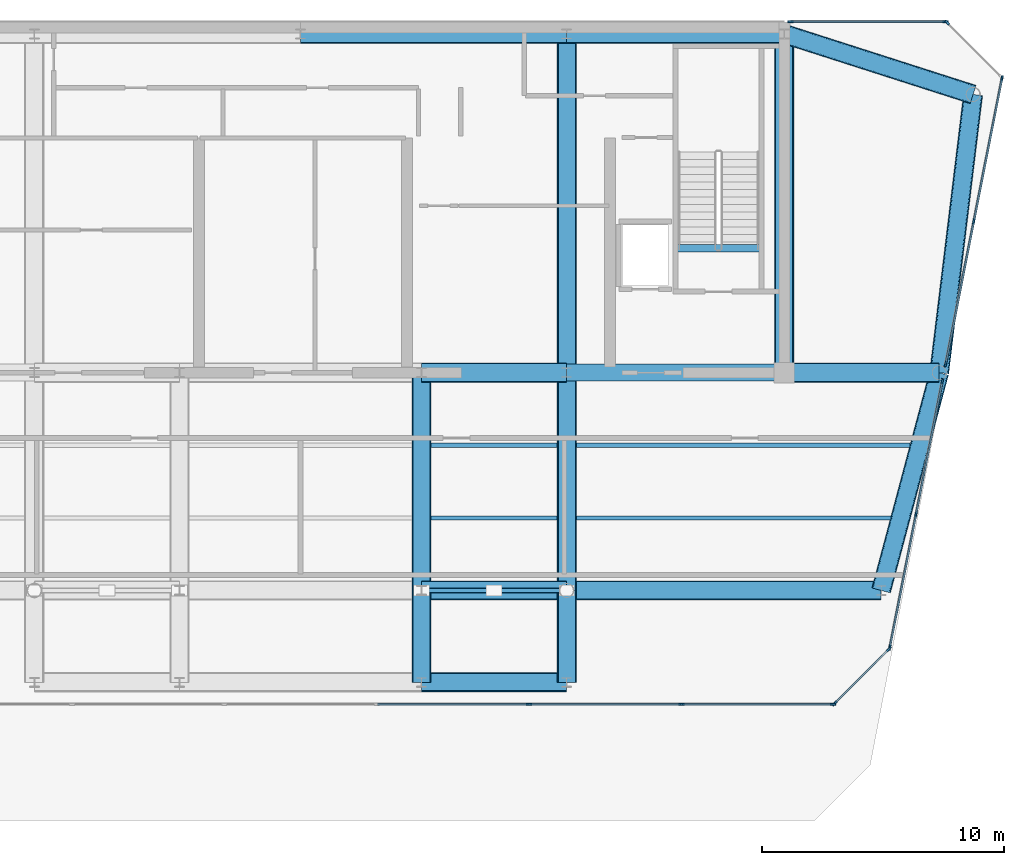
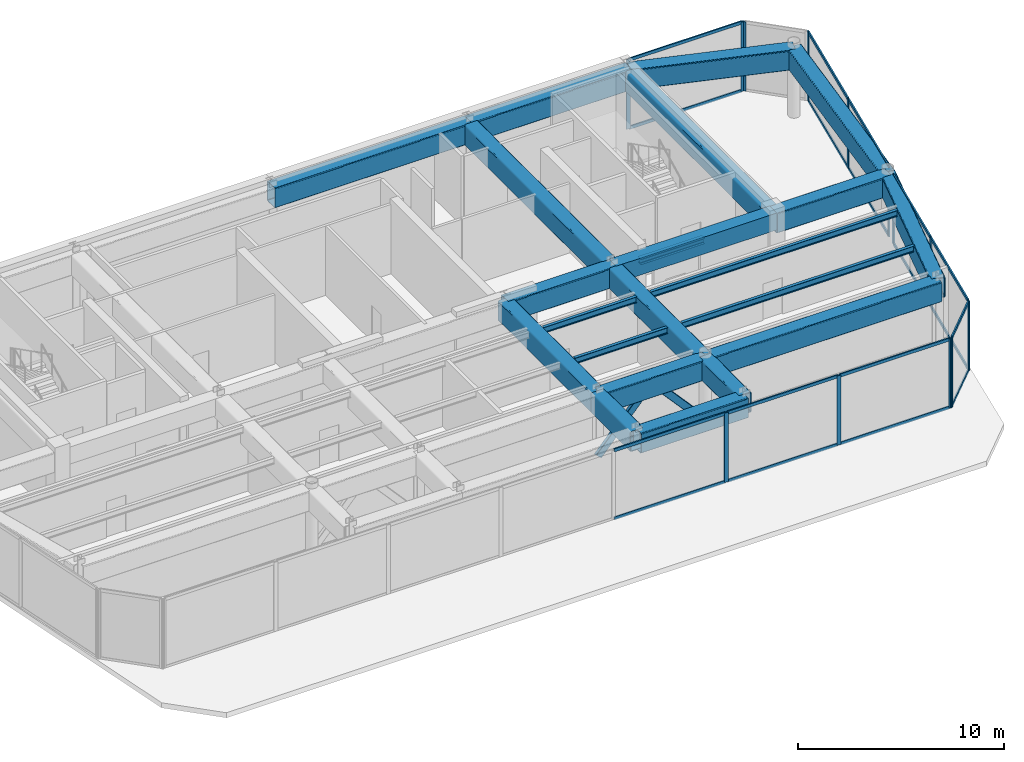
# One storey, part 5 of 12: 34 members, 22 beams, 6 elements without a shape of their own.
"""IFC4 building model written with IfcOpenShell, lengths in metres."""

from ifc_helpers import new_model, si_unit, direction, frame, origin, origin_2d, place, context, subcontext, project, spatial, rectangle, hollow_rectangle, i_section, extrude, source, transform, mapped, material, layer, layer_set, material_profile, profile_set, type_object, element, aggregate, save


model = new_model("IFC4")

# Units and contexts
model_context = context("Model", 3, precision=1e-05, world=origin(), true_north=direction((0.0, 1.0)))
body_context = subcontext(model_context, "Body", "Model", "MODEL_VIEW")
ifc_project = project(units=[si_unit("LENGTHUNIT", "METRE"), si_unit("AREAUNIT", "SQUARE_METRE"), si_unit("VOLUMEUNIT", "CUBIC_METRE"), si_unit("PLANEANGLEUNIT", "RADIAN"), si_unit("MASSUNIT", "GRAM", prefix="KILO")], contexts=[model_context])

# Site, building, storey
site_placement = place(None, origin())
site = spatial("IfcSite", under=ifc_project, at=site_placement, CompositionType="ELEMENT")
building_placement = place(site_placement, origin())
building = spatial("IfcBuilding", under=site, at=building_placement, Name="Vaeldorn Concourse Tower", CompositionType="ELEMENT")
storey_placement = place(building_placement, frame((0.0, 0.0, 308.39990234375)))
storey = spatial("IfcBuildingStorey", under=building, at=storey_placement, Name="L79", CompositionType="ELEMENT", Elevation=308.39990234375)

# Beams
ifc_material_1 = material(Name="Concrete C50/60", Category="concrete")
ifc_material_profile_1 = material_profile(ifc_material_1, rectangle(XDim=0.699951171875, YDim=1.0, at=origin_2d()), Name="RC 700x1000")
ifc_profile_set_1 = profile_set([ifc_material_profile_1], Name="Concrete C50/60")
beam_type_1 = type_object("IfcBeamType", Name="BM-CB-RC700", PredefinedType="BEAM", material=ifc_profile_set_1)
shared_shape_1 = source(origin(), body_context, "Body", "SweptSolid", [
    extrude(rectangle(XDim=0.699951171875, YDim=1.0, at=origin_2d()), origin(), (0.0, 0.0, 1.0), 9.0),
])
beam_1_placement = place(storey_placement, frame((45.0, 36.5, 3.60009765625), z_axis=(1.0, 0.0, 0.0), x_axis=(0.0, 1.0, 0.0)))
element("IfcBeam", 1, at=beam_1_placement, inside=storey, type_object=beam_type_1, Name="Core Coupling Beam L79-2", PredefinedType="BEAM", context=body_context, shape_type="MappedRepresentation", body=[
    mapped(shared_shape_1, transform((0.0, 0.0, 0.0), scale=1.0)),
])
ifc_material_2 = material(Name="Steel S355", Category="steel")
ifc_material_profile_2 = material_profile(ifc_material_2, i_section(OverallWidth=0.300048828125, OverallDepth=0.340087890625, WebThickness=0.011962890625, FlangeThickness=0.021484375, FilletRadius=0.027099609375, at=origin_2d()), Name="HEB 340")
ifc_profile_set_2 = profile_set([ifc_material_profile_2], Name="Steel S355")
beam_type_2 = type_object("IfcBeamType", Name="BM-ST-TRIM", PredefinedType="BEAM", material=ifc_profile_set_2)
shared_shape_2 = source(origin(), body_context, "Body", "SweptSolid", [
    extrude(i_section(OverallWidth=0.300048828125, OverallDepth=0.340087890625, WebThickness=0.011962890625, FlangeThickness=0.021484375, FilletRadius=0.027099609375, at=origin_2d()), origin(), (0.0, 0.0, 1.0), 3.590087890625),
])
beam_2_placement = place(storey_placement, frame((49.47998046875, 41.639892578125, -0.469970703125), z_axis=(1.0, 0.0, 0.0), x_axis=(0.0, 1.0, 0.0)))
element("IfcBeam", 2, at=beam_2_placement, inside=storey, type_object=beam_type_2, Name="Stair Landing Trimmer Beam ST-2 L79", PredefinedType="BEAM", context=body_context, shape_type="MappedRepresentation", body=[
    mapped(shared_shape_2, transform((0.0, 0.0, 0.0), scale=1.0)),
])
ifc_material_3 = material(Name="Steel S460", Category="steel")
ifc_material_profile_3 = material_profile(ifc_material_3, hollow_rectangle(XDim=0.800048828125, YDim=1.199951171875, WallThickness=0.044921875, InnerFilletRadius=0.044921875, OuterFilletRadius=0.090087890625, at=origin_2d()), Name="RHS 1200x800x45")
ifc_profile_set_3 = profile_set([ifc_material_profile_3], Name="Steel S460")
beam_type_3 = type_object("IfcBeamType", Name="BM-TG-RHS1200", PredefinedType="BEAM", material=ifc_profile_set_3)
shared_shape_3 = source(origin(), body_context, "Body", "SweptSolid", [
    extrude(hollow_rectangle(XDim=0.800048828125, YDim=1.199951171875, WallThickness=0.044921875, InnerFilletRadius=0.044921875, OuterFilletRadius=0.090087890625, at=origin_2d()), origin(), (0.0, 0.0, 1.0), 6.0),
])
for number, where, z_axis, x_axis, name in (
    (3, (39.0, 36.5, 3.5), (1.0, 0.0, 0.0), (0.0, 1.0, 0.0), "Beam BM-L79-C-FC4-C-FC5"),
    (4, (39.0, 27.5, 3.5), (1.0, 0.0, 0.0), (0.0, 1.0, 0.0), "Beam BM-L79-C-TW3-C-TW4"),
    (5, (39.0, 23.699951171875, 3.5), (1.0, 0.0, 0.0), (0.0, 1.0, 0.0), "Beam BM-L79-C-SF4-C-SF5"),
):
    element("IfcBeam", number, at=place(storey_placement, frame(where, z_axis=z_axis, x_axis=x_axis)), inside=storey, type_object=beam_type_3, Name=name, PredefinedType="BEAM", context=body_context, shape_type="MappedRepresentation", body=[
        mapped(shared_shape_3, transform((0.0, 0.0, 0.0), scale=1.0)),
    ])
shared_shape_4 = source(origin(), body_context, "Body", "SweptSolid", [
    extrude(hollow_rectangle(XDim=0.800048828125, YDim=1.199951171875, WallThickness=0.044921875, InnerFilletRadius=0.044921875, OuterFilletRadius=0.090087890625, at=origin_2d()), origin(), (0.0, 0.0, 1.0), 9.0),
])
for number, where, z_axis, x_axis, name in (
    (6, (45.0, 50.5, 3.5), (1.0, 0.0, 0.0), (0.0, 1.0, 0.0), "Beam BM-L79-C-HC4-C-HC5"),
    (7, (39.0, 27.5, 3.5), (0.0, 1.0, 0.0), (-1.0, 0.0, 0.0), "Beam BM-L79-C-TW3-C-FC4"),
    (8, (45.0, 27.5, 3.5), (0.0, 1.0, 0.0), (-1.0, 0.0, 0.0), "Beam BM-L79-C-TW4-C-FC5"),
):
    element("IfcBeam", number, at=place(storey_placement, frame(where, z_axis=z_axis, x_axis=x_axis)), inside=storey, type_object=beam_type_3, Name=name, PredefinedType="BEAM", context=body_context, shape_type="MappedRepresentation", body=[
        mapped(shared_shape_4, transform((0.0, 0.0, 0.0), scale=1.0)),
    ])
shared_shape_5 = source(origin(), body_context, "Body", "SweptSolid", [
    extrude(hollow_rectangle(XDim=0.800048828125, YDim=1.199951171875, WallThickness=0.044921875, InnerFilletRadius=0.044921875, OuterFilletRadius=0.090087890625, at=origin_2d()), origin(), (0.0, 0.0, 1.0), 11.0),
])
beam_3_placement = place(storey_placement, frame((34.0, 50.5, 3.5), z_axis=(1.0, 0.0, 0.0), x_axis=(0.0, 1.0, 0.0)))
element("IfcBeam", 9, at=beam_3_placement, inside=storey, type_object=beam_type_3, Name="Beam BM-L79-C-HC3-C-HC4", PredefinedType="BEAM", context=body_context, shape_type="MappedRepresentation", body=[
    mapped(shared_shape_5, transform((0.0, 0.0, 0.0), scale=1.0)),
])
shared_shape_6 = source(origin(), body_context, "Body", "SweptSolid", [
    extrude(hollow_rectangle(XDim=0.800048828125, YDim=1.199951171875, WallThickness=0.044921875, InnerFilletRadius=0.044921875, OuterFilletRadius=0.090087890625, at=origin_2d()), origin(), (0.0, 0.0, 1.0), 14.0),
])
for number, where, z_axis, x_axis, name in (
    (10, (45.0, 36.5, 3.5), (0.0, 1.0, 0.0), (-1.0, 0.0, 0.0), "Beam BM-L79-C-FC5-C-HC4"),
    (11, (54.0, 36.5, 3.5), (0.0, 1.0, 0.0), (-1.0, 0.0, 0.0), "Beam BM-L79-C-FC6-C-HC5"),
):
    element("IfcBeam", number, at=place(storey_placement, frame(where, z_axis=z_axis, x_axis=x_axis)), inside=storey, type_object=beam_type_3, Name=name, PredefinedType="BEAM", context=body_context, shape_type="MappedRepresentation", body=[
        mapped(shared_shape_6, transform((0.0, 0.0, 0.0), scale=1.0)),
    ])
shared_shape_7 = source(origin(), body_context, "Body", "SweptSolid", [
    extrude(hollow_rectangle(XDim=0.800048828125, YDim=1.199951171875, WallThickness=0.044921875, InnerFilletRadius=0.044921875, OuterFilletRadius=0.090087890625, at=origin_2d()), origin(), (0.0, 0.0, 1.0), 13.0),
])
beam_4_placement = place(storey_placement, frame((45.0, 27.5, 3.5), z_axis=(1.0, 0.0, 0.0), x_axis=(0.0, 1.0, 0.0)))
element("IfcBeam", 12, at=beam_4_placement, inside=storey, type_object=beam_type_3, Name="Beam BM-L79-C-TW4-C-FLE1", PredefinedType="BEAM", context=body_context, shape_type="MappedRepresentation", body=[
    mapped(shared_shape_7, transform((0.0, 0.0, 0.0), scale=1.0)),
])
shared_shape_8 = source(origin(), body_context, "Body", "SweptSolid", [
    extrude(hollow_rectangle(XDim=0.800048828125, YDim=1.199951171875, WallThickness=0.044921875, InnerFilletRadius=0.044921875, OuterFilletRadius=0.090087890625, at=origin_2d()), origin(), (0.0, 0.0, 1.0), 6.39990234375),
])
beam_5_placement = place(storey_placement, frame((54.0, 36.5, 3.5), z_axis=(1.0, 0.0, 0.0), x_axis=(0.0, 1.0, 0.0)))
element("IfcBeam", 13, at=beam_5_placement, inside=storey, type_object=beam_type_3, Name="Beam BM-L79-C-FC6-C-NE2", PredefinedType="BEAM", context=body_context, shape_type="MappedRepresentation", body=[
    mapped(shared_shape_8, transform((0.0, 0.0, 0.0), scale=1.0)),
])
shared_shape_9 = source(origin(), body_context, "Body", "SweptSolid", [
    extrude(hollow_rectangle(XDim=0.800048828125, YDim=1.199951171875, WallThickness=0.044921875, InnerFilletRadius=0.044921875, OuterFilletRadius=0.090087890625, at=origin_2d()), origin(), (0.0, 0.0, 1.0), 8.19091796875),
])
beam_6_placement = place(storey_placement, frame((54.0, 50.5, 3.5), z_axis=(0.952282843383, -0.305216949396, 0.0), x_axis=(0.305216949396, 0.952282843383, 0.0)))
element("IfcBeam", 14, at=beam_6_placement, inside=storey, type_object=beam_type_3, Name="Beam BM-L79-C-HC5-C-NE1", PredefinedType="BEAM", context=body_context, shape_type="MappedRepresentation", body=[
    mapped(shared_shape_9, transform((0.0, 0.0, 0.0), scale=1.0)),
])
shared_shape_10 = source(origin(), body_context, "Body", "SweptSolid", [
    extrude(hollow_rectangle(XDim=0.800048828125, YDim=1.199951171875, WallThickness=0.044921875, InnerFilletRadius=0.044921875, OuterFilletRadius=0.090087890625, at=origin_2d()), origin(), (0.0, 0.0, 1.0), 11.5849609375),
])
beam_7_placement = place(storey_placement, frame((61.800048828125, 48.0, 3.5), z_axis=(-0.120859382899, -0.992669637677, 0.0), x_axis=(0.992669637677, -0.120859382899, 0.0)))
element("IfcBeam", 15, at=beam_7_placement, inside=storey, type_object=beam_type_3, Name="Beam BM-L79-C-NE1-C-NE2", PredefinedType="BEAM", context=body_context, shape_type="MappedRepresentation", body=[
    mapped(shared_shape_10, transform((0.0, 0.0, 0.0), scale=1.0)),
])
shared_shape_11 = source(origin(), body_context, "Body", "SweptSolid", [
    extrude(hollow_rectangle(XDim=0.800048828125, YDim=1.199951171875, WallThickness=0.044921875, InnerFilletRadius=0.044921875, OuterFilletRadius=0.090087890625, at=origin_2d()), origin(), (0.0, 0.0, 1.0), 9.314453125),
])
beam_8_placement = place(storey_placement, frame((60.39990234375, 36.5, 3.5), z_axis=(-0.257652862255, -0.966237549763, 0.0), x_axis=(0.966237549763, -0.257652862255, 0.0)))
element("IfcBeam", 16, at=beam_8_placement, inside=storey, type_object=beam_type_3, Name="Beam BM-L79-C-NE2-C-FLE1", PredefinedType="BEAM", context=body_context, shape_type="MappedRepresentation", body=[
    mapped(shared_shape_11, transform((0.0, 0.0, 0.0), scale=1.0)),
])
ifc_material_profile_4 = material_profile(ifc_material_2, i_section(OverallWidth=0.169921875, OverallDepth=0.360107421875, WebThickness=0.008056640625, FlangeThickness=0.0126953125, FilletRadius=0.01806640625, at=origin_2d()), Name="IPE 360")
ifc_profile_set_4 = profile_set([ifc_material_profile_4], Name="Steel S355")
beam_type_4 = type_object("IfcBeamType", Name="BM-JS-IPE360", PredefinedType="JOIST", material=ifc_profile_set_4)
shared_shape_12 = source(origin(), body_context, "Body", "SweptSolid", [
    extrude(i_section(OverallWidth=0.169921875, OverallDepth=0.360107421875, WebThickness=0.008056640625, FlangeThickness=0.0126953125, FilletRadius=0.01806640625, at=origin_2d()), origin(), (0.0, 0.0, 1.0), 5.2001953125),
])
for number, where, z_axis, x_axis, name in (
    (17, (39.39990234375, 30.5, 3.920166015625), (1.0, 0.0, 0.0), (0.0, 1.0, 0.0), "Beam JS-L79-E2-305"),
    (18, (39.39990234375, 33.5, 3.920166015625), (1.0, 0.0, 0.0), (0.0, 1.0, 0.0), "Beam JS-L79-E2-335"),
):
    element("IfcBeam", number, at=place(storey_placement, frame(where, z_axis=z_axis, x_axis=x_axis)), inside=storey, type_object=beam_type_4, Name=name, PredefinedType="JOIST", context=body_context, shape_type="MappedRepresentation", body=[
        mapped(shared_shape_12, transform((0.0, 0.0, 0.0), scale=1.0)),
    ])
shared_shape_13 = source(origin(), body_context, "Body", "SweptSolid", [
    extrude(hollow_rectangle(XDim=0.800048828125, YDim=1.199951171875, WallThickness=0.044921875, InnerFilletRadius=0.044921875, OuterFilletRadius=0.090087890625, at=origin_2d()), origin(), (0.0, 0.0, 1.0), 3.800048828125),
])
for number, where, z_axis, x_axis, name in (
    (19, (39.0, 23.699951171875, 3.5), (0.0, 1.0, 0.0), (-1.0, 0.0, 0.0), "Beam BM-L79-C-SF4-C-TW3"),
    (20, (45.0, 23.699951171875, 3.5), (0.0, 1.0, 0.0), (-1.0, 0.0, 0.0), "Beam BM-L79-C-SF5-C-TW4"),
):
    element("IfcBeam", number, at=place(storey_placement, frame(where, z_axis=z_axis, x_axis=x_axis)), inside=storey, type_object=beam_type_3, Name=name, PredefinedType="BEAM", context=body_context, shape_type="MappedRepresentation", body=[
        mapped(shared_shape_13, transform((0.0, 0.0, 0.0), scale=1.0)),
    ])
shared_shape_14 = source(origin(), body_context, "Body", "SweptSolid", [
    extrude(i_section(OverallWidth=0.169921875, OverallDepth=0.360107421875, WebThickness=0.008056640625, FlangeThickness=0.0126953125, FilletRadius=0.01806640625, at=origin_2d()), origin(), (0.0, 0.0, 1.0), 13.0),
])
beam_9_placement = place(storey_placement, frame((45.39990234375, 30.5, 3.920166015625), z_axis=(1.0, 0.0, 0.0), x_axis=(0.0, 1.0, 0.0)))
element("IfcBeam", 21, at=beam_9_placement, inside=storey, type_object=beam_type_4, Name="Beam JS-L79-E1-305", PredefinedType="JOIST", context=body_context, shape_type="MappedRepresentation", body=[
    mapped(shared_shape_14, transform((0.0, 0.0, 0.0), scale=1.0)),
])
shared_shape_15 = source(origin(), body_context, "Body", "SweptSolid", [
    extrude(i_section(OverallWidth=0.169921875, OverallDepth=0.360107421875, WebThickness=0.008056640625, FlangeThickness=0.0126953125, FilletRadius=0.01806640625, at=origin_2d()), origin(), (0.0, 0.0, 1.0), 13.800048828125),
])
beam_10_placement = place(storey_placement, frame((45.39990234375, 33.5, 3.920166015625), z_axis=(1.0, 0.0, 0.0), x_axis=(0.0, 1.0, 0.0)))
element("IfcBeam", 22, at=beam_10_placement, inside=storey, type_object=beam_type_4, Name="Beam JS-L79-E1-335", PredefinedType="JOIST", context=body_context, shape_type="MappedRepresentation", body=[
    mapped(shared_shape_15, transform((0.0, 0.0, 0.0), scale=1.0)),
])

# Members
ifc_material_profile_5 = material_profile(ifc_material_2, hollow_rectangle(XDim=0.199951171875, YDim=0.39990234375, WallThickness=0.01611328125, InnerFilletRadius=0.01611328125, OuterFilletRadius=0.031982421875, at=origin_2d()), Name="RHS 400x200x16")
ifc_profile_set_5 = profile_set([ifc_material_profile_5], Name="Steel S355")
member_type_1 = type_object("IfcMemberType", Name="MB-CRN-STRUT", PredefinedType="STRUT", material=ifc_profile_set_5)
shared_shape_16 = source(origin(), body_context, "Body", "SweptSolid", [
    extrude(hollow_rectangle(XDim=0.199951171875, YDim=0.39990234375, WallThickness=0.01611328125, InnerFilletRadius=0.01611328125, OuterFilletRadius=0.031982421875, at=origin_2d()), origin(), (0.0, 0.0, 1.0), 4.4970703125),
])
for number, where, z_axis, x_axis, name in (
    (23, (39.0, 27.5, 0.25), (0.667109010953, 0.0, 0.744960111352), (0.0, 1.0, 0.0), "Crown Frame Brace Strut L79-2A"),
    (24, (45.0, 27.5, 0.25), (-0.667109010953, 0.0, 0.744960111352), (0.0, -1.0, 0.0), "Crown Frame Brace Strut L79-2B"),
):
    element("IfcMember", number, at=place(storey_placement, frame(where, z_axis=z_axis, x_axis=x_axis)), inside=storey, type_object=member_type_1, Name=name, PredefinedType="STRUT", context=body_context, shape_type="MappedRepresentation", body=[
        mapped(shared_shape_16, transform((0.0, 0.0, 0.0), scale=1.0)),
    ])

# Curtain wall, members
ifc_material_4 = material(Name="Anodised Bronze Aluminium", Category="aluminium")
ifc_layer = layer(ifc_material_4, 0.22998046875)
ifc_layer_set = layer_set([ifc_layer], Name="Anodised Bronze Aluminium")
curtain_wall_type = type_object("IfcCurtainWallType", Name="CW-SYS-07", PredefinedType="NOTDEFINED", material=ifc_layer_set)
curtain_wall_1_placement = place(storey_placement, origin())
curtain_wall_1 = element("IfcCurtainWall", 25, at=curtain_wall_1_placement, inside=storey, type_object=curtain_wall_type, Name="Unitised Curtain Wall CW-L79-E02-1", PredefinedType="NOTDEFINED")
ifc_material_profile_6 = material_profile(ifc_material_4, rectangle(XDim=0.074951171875, YDim=0.179931640625, at=origin_2d()), Name="CWT 75x180")
ifc_profile_set_6 = profile_set([ifc_material_profile_6], Name="Anodised Bronze Aluminium")
member_type_2 = type_object("IfcMemberType", Name="CWT-BRONZE-180", PredefinedType="USERDEFINED", material=ifc_profile_set_6)
shared_shape_17 = source(origin(), body_context, "Body", "SweptSolid", [
    extrude(rectangle(XDim=0.074951171875, YDim=0.179931640625, at=origin_2d()), origin(), (0.0, 0.0, 1.0), 3.1025390625),
])
member_1_placement = place(storey_placement, frame((56.10009765625, 22.85302734375, 0.03759765625), z_axis=(0.707106781187, 0.707106781187, 0.0), x_axis=(-0.707106781187, 0.707106781187, 0.0)))
member_1 = element("IfcMember", 26, at=member_1_placement, type_object=member_type_2, Name="CW-07 transom 1.1", ObjectType="TRANSOM", PredefinedType="USERDEFINED", context=body_context, shape_type="MappedRepresentation", body=[
    mapped(shared_shape_17, transform((0.0, 0.0, 0.0), scale=1.0)),
])
member_2_placement = place(storey_placement, frame((56.10009765625, 22.85302734375, 4.0625), z_axis=(0.707106781187, 0.707106781187, 0.0), x_axis=(-0.707106781187, 0.707106781187, 0.0)))
member_2 = element("IfcMember", 27, at=member_2_placement, type_object=member_type_2, Name="CW-07 transom 1.2", ObjectType="TRANSOM", PredefinedType="USERDEFINED", context=body_context, shape_type="MappedRepresentation", body=[
    mapped(shared_shape_17, transform((0.0, 0.0, 0.0), scale=1.0)),
])

curtain_wall_2_placement = place(storey_placement, origin())
curtain_wall_2 = element("IfcCurtainWall", 28, at=curtain_wall_2_placement, inside=storey, type_object=curtain_wall_type, Name="Unitised Curtain Wall CW-L79-E05-1", PredefinedType="NOTDEFINED")
shared_shape_18 = source(origin(), body_context, "Body", "SweptSolid", [
    extrude(rectangle(XDim=0.074951171875, YDim=0.179931640625, at=origin_2d()), origin(), (0.0, 0.0, 1.0), 6.330078125),
])
member_3_placement = place(storey_placement, frame((60.625, 51.0, 0.03759765625), z_axis=(-1.0, 0.0, 0.0), x_axis=(0.0, -1.0, 0.0)))
member_3 = element("IfcMember", 29, at=member_3_placement, type_object=member_type_2, Name="CW-07 transom 1.1", ObjectType="TRANSOM", PredefinedType="USERDEFINED", context=body_context, shape_type="MappedRepresentation", body=[
    mapped(shared_shape_18, transform((0.0, 0.0, 0.0), scale=1.0)),
])
member_4_placement = place(storey_placement, frame((60.625, 51.0, 4.0625), z_axis=(-1.0, 0.0, 0.0), x_axis=(0.0, -1.0, 0.0)))
member_4 = element("IfcMember", 30, at=member_4_placement, type_object=member_type_2, Name="CW-07 transom 1.2", ObjectType="TRANSOM", PredefinedType="USERDEFINED", context=body_context, shape_type="MappedRepresentation", body=[
    mapped(shared_shape_18, transform((0.0, 0.0, 0.0), scale=1.0)),
])

curtain_wall_3_placement = place(storey_placement, origin())
curtain_wall_3 = element("IfcCurtainWall", 31, at=curtain_wall_3_placement, inside=storey, type_object=curtain_wall_type, Name="Unitised Curtain Wall CW-L79-E01-1", PredefinedType="NOTDEFINED")
ifc_material_profile_7 = material_profile(ifc_material_4, rectangle(XDim=0.074951171875, YDim=0.219970703125, at=origin_2d()), Name="CWM 75x220")
ifc_profile_set_7 = profile_set([ifc_material_profile_7], Name="Anodised Bronze Aluminium")
member_type_3 = type_object("IfcMemberType", Name="CWM-BRONZE-220", PredefinedType="MULLION", material=ifc_profile_set_7)
shared_shape_19 = source(origin(), body_context, "Body", "SweptSolid", [
    extrude(rectangle(XDim=0.074951171875, YDim=0.219970703125, at=origin_2d()), origin(), (0.0, 0.0, 1.0), 4.10009765625),
])
member_5_placement = place(storey_placement, frame((43.44873046875, 22.800048828125, 0.0), z_axis=(0.0, 0.0, 1.0), x_axis=(0.0, 1.0, 0.0)))
member_5 = element("IfcMember", 32, at=member_5_placement, type_object=member_type_3, Name="CW-07 mullion 6", PredefinedType="MULLION", context=body_context, shape_type="MappedRepresentation", body=[
    mapped(shared_shape_19, transform((0.0, 0.0, 0.0), scale=1.0)),
])
member_6_placement = place(storey_placement, frame((49.747802734375, 22.800048828125, 0.0), z_axis=(0.0, 0.0, 1.0), x_axis=(0.0, 1.0, 0.0)))
member_6 = element("IfcMember", 33, at=member_6_placement, type_object=member_type_3, Name="CW-07 mullion 7", PredefinedType="MULLION", context=body_context, shape_type="MappedRepresentation", body=[
    mapped(shared_shape_19, transform((0.0, 0.0, 0.0), scale=1.0)),
])
member_7_placement = place(storey_placement, frame((56.009521484375, 22.800048828125, 0.0), z_axis=(0.0, 0.0, 1.0), x_axis=(0.0, 1.0, 0.0)))
member_7 = element("IfcMember", 34, at=member_7_placement, type_object=member_type_3, Name="CW-07 mullion 8", PredefinedType="MULLION", context=body_context, shape_type="MappedRepresentation", body=[
    mapped(shared_shape_19, transform((0.0, 0.0, 0.0), scale=1.0)),
])

# Member
member_8_placement = place(storey_placement, frame((56.073486328125, 22.826416015625, 0.0), z_axis=(0.0, 0.0, 1.0), x_axis=(-0.707106781187, 0.707106781187, 0.0)))
member_8 = element("IfcMember", 35, at=member_8_placement, type_object=member_type_3, Name="CW-07 mullion 1", PredefinedType="MULLION", context=body_context, shape_type="MappedRepresentation", body=[
    mapped(shared_shape_19, transform((0.0, 0.0, 0.0), scale=1.0)),
])

member_9_placement = place(storey_placement, frame((58.320556640625, 25.073486328125, 0.0), z_axis=(0.0, 0.0, 1.0), x_axis=(-0.707106781187, 0.707106781187, 0.0)))
member_9 = element("IfcMember", 36, at=member_9_placement, type_object=member_type_3, Name="CW-07 mullion 2", PredefinedType="MULLION", context=body_context, shape_type="MappedRepresentation", body=[
    mapped(shared_shape_19, transform((0.0, 0.0, 0.0), scale=1.0)),
])

aggregate(curtain_wall_1, [member_8, member_9, member_1, member_2])

# Curtain wall, members
curtain_wall_4_placement = place(storey_placement, origin())
curtain_wall_4 = element("IfcCurtainWall", 37, at=curtain_wall_4_placement, inside=storey, type_object=curtain_wall_type, Name="Unitised Curtain Wall CW-L79-E03-1", PredefinedType="NOTDEFINED")
member_10_placement = place(storey_placement, frame((58.354248046875, 25.13671875, 0.0), z_axis=(0.0, 0.0, 1.0), x_axis=(-0.981113166559, 0.193434625662, 0.0)))
member_10 = element("IfcMember", 38, at=member_10_placement, type_object=member_type_3, Name="CW-07 mullion 1", PredefinedType="MULLION", context=body_context, shape_type="MappedRepresentation", body=[
    mapped(shared_shape_19, transform((0.0, 0.0, 0.0), scale=1.0)),
])
member_11_placement = place(storey_placement, frame((59.439697265625, 30.642578125, 0.0), z_axis=(0.0, 0.0, 1.0), x_axis=(-0.981113166559, 0.193434625662, 0.0)))
member_11 = element("IfcMember", 39, at=member_11_placement, type_object=member_type_3, Name="CW-07 mullion 2", PredefinedType="MULLION", context=body_context, shape_type="MappedRepresentation", body=[
    mapped(shared_shape_19, transform((0.0, 0.0, 0.0), scale=1.0)),
])
member_12_placement = place(storey_placement, frame((60.525146484375, 36.148193359375, 0.0), z_axis=(0.0, 0.0, 1.0), x_axis=(-0.981113166559, 0.193434625662, 0.0)))
member_12 = element("IfcMember", 40, at=member_12_placement, type_object=member_type_3, Name="CW-07 mullion 3", PredefinedType="MULLION", context=body_context, shape_type="MappedRepresentation", body=[
    mapped(shared_shape_19, transform((0.0, 0.0, 0.0), scale=1.0)),
])

curtain_wall_5_placement = place(storey_placement, origin())
curtain_wall_5 = element("IfcCurtainWall", 41, at=curtain_wall_5_placement, inside=storey, type_object=curtain_wall_type, Name="Unitised Curtain Wall CW-L79-E03-2", PredefinedType="NOTDEFINED")
member_13_placement = place(storey_placement, frame((60.6640625, 36.851806640625, 0.0), z_axis=(0.0, 0.0, 1.0), x_axis=(-0.981112017519, 0.193440453575, 0.0)))
member_13 = element("IfcMember", 42, at=member_13_placement, type_object=member_type_3, Name="CW-07 mullion 1", PredefinedType="MULLION", context=body_context, shape_type="MappedRepresentation", body=[
    mapped(shared_shape_19, transform((0.0, 0.0, 0.0), scale=1.0)),
])
member_14_placement = place(storey_placement, frame((61.828369140625, 42.757568359375, 0.0), z_axis=(0.0, 0.0, 1.0), x_axis=(-0.981112017519, 0.193440453575, 0.0)))
member_14 = element("IfcMember", 43, at=member_14_placement, type_object=member_type_3, Name="CW-07 mullion 2", PredefinedType="MULLION", context=body_context, shape_type="MappedRepresentation", body=[
    mapped(shared_shape_19, transform((0.0, 0.0, 0.0), scale=1.0)),
])
member_15_placement = place(storey_placement, frame((62.99267578125, 48.663330078125, 0.0), z_axis=(0.0, 0.0, 1.0), x_axis=(-0.981112017519, 0.193440453575, 0.0)))
member_15 = element("IfcMember", 44, at=member_15_placement, type_object=member_type_3, Name="CW-07 mullion 3", PredefinedType="MULLION", context=body_context, shape_type="MappedRepresentation", body=[
    mapped(shared_shape_19, transform((0.0, 0.0, 0.0), scale=1.0)),
])

# Curtain wall, member
curtain_wall_6_placement = place(storey_placement, origin())
curtain_wall_6 = element("IfcCurtainWall", 45, at=curtain_wall_6_placement, inside=storey, type_object=curtain_wall_type, Name="Unitised Curtain Wall CW-L79-E04-1", PredefinedType="NOTDEFINED")
member_16_placement = place(storey_placement, frame((60.7265625, 50.973388671875, 0.0), z_axis=(0.0, 0.0, 1.0), x_axis=(-0.707106781187, -0.707106781187, 0.0)))
member_16 = element("IfcMember", 46, at=member_16_placement, type_object=member_type_3, Name="CW-07 mullion 2", PredefinedType="MULLION", context=body_context, shape_type="MappedRepresentation", body=[
    mapped(shared_shape_19, transform((0.0, 0.0, 0.0), scale=1.0)),
])
aggregate(curtain_wall_6, [member_16])

# Member
member_17_placement = place(storey_placement, frame((60.66259765625, 51.0, 0.0), z_axis=(0.0, 0.0, 1.0), x_axis=(0.0, -1.0, 0.0)))
member_17 = element("IfcMember", 47, at=member_17_placement, type_object=member_type_3, Name="CW-07 mullion 1", PredefinedType="MULLION", context=body_context, shape_type="MappedRepresentation", body=[
    mapped(shared_shape_19, transform((0.0, 0.0, 0.0), scale=1.0)),
])

member_18_placement = place(storey_placement, frame((54.257568359375, 51.0, 0.0), z_axis=(0.0, 0.0, 1.0), x_axis=(0.0, -1.0, 0.0)))
member_18 = element("IfcMember", 48, at=member_18_placement, type_object=member_type_3, Name="CW-07 mullion 2", PredefinedType="MULLION", context=body_context, shape_type="MappedRepresentation", body=[
    mapped(shared_shape_19, transform((0.0, 0.0, 0.0), scale=1.0)),
])

aggregate(curtain_wall_2, [member_17, member_18, member_3, member_4])

shared_shape_20 = source(origin(), body_context, "Body", "SweptSolid", [
    extrude(rectangle(XDim=0.074951171875, YDim=0.179931640625, at=origin_2d()), origin(), (0.0, 0.0, 1.0), 6.1865234375),
])
member_19_placement = place(storey_placement, frame((49.785400390625, 22.800048828125, 0.03759765625), z_axis=(1.0, 0.0, 0.0), x_axis=(0.0, 1.0, 0.0)))
member_19 = element("IfcMember", 49, at=member_19_placement, type_object=member_type_2, Name="CW-07 transom 7.1", ObjectType="TRANSOM", PredefinedType="USERDEFINED", context=body_context, shape_type="MappedRepresentation", body=[
    mapped(shared_shape_20, transform((0.0, 0.0, 0.0), scale=1.0)),
])

member_20_placement = place(storey_placement, frame((49.785400390625, 22.800048828125, 4.0625), z_axis=(1.0, 0.0, 0.0), x_axis=(0.0, 1.0, 0.0)))
member_20 = element("IfcMember", 50, at=member_20_placement, type_object=member_type_2, Name="CW-07 transom 7.2", ObjectType="TRANSOM", PredefinedType="USERDEFINED", context=body_context, shape_type="MappedRepresentation", body=[
    mapped(shared_shape_20, transform((0.0, 0.0, 0.0), scale=1.0)),
])

shared_shape_21 = source(origin(), body_context, "Body", "SweptSolid", [
    extrude(rectangle(XDim=0.074951171875, YDim=0.179931640625, at=origin_2d()), origin(), (0.0, 0.0, 1.0), 6.22412109375),
])
member_21_placement = place(storey_placement, frame((37.18701171875, 22.800048828125, 0.03759765625), z_axis=(1.0, 0.0, 0.0), x_axis=(0.0, 1.0, 0.0)))
member_21 = element("IfcMember", 51, at=member_21_placement, type_object=member_type_2, Name="CW-07 transom 5.1", ObjectType="TRANSOM", PredefinedType="USERDEFINED", context=body_context, shape_type="MappedRepresentation", body=[
    mapped(shared_shape_21, transform((0.0, 0.0, 0.0), scale=1.0)),
])

member_22_placement = place(storey_placement, frame((37.18701171875, 22.800048828125, 4.0625), z_axis=(1.0, 0.0, 0.0), x_axis=(0.0, 1.0, 0.0)))
member_22 = element("IfcMember", 52, at=member_22_placement, type_object=member_type_2, Name="CW-07 transom 5.2", ObjectType="TRANSOM", PredefinedType="USERDEFINED", context=body_context, shape_type="MappedRepresentation", body=[
    mapped(shared_shape_21, transform((0.0, 0.0, 0.0), scale=1.0)),
])

member_23_placement = place(storey_placement, frame((43.486328125, 22.800048828125, 0.03759765625), z_axis=(1.0, 0.0, 0.0), x_axis=(0.0, 1.0, 0.0)))
member_23 = element("IfcMember", 53, at=member_23_placement, type_object=member_type_2, Name="CW-07 transom 6.1", ObjectType="TRANSOM", PredefinedType="USERDEFINED", context=body_context, shape_type="MappedRepresentation", body=[
    mapped(shared_shape_21, transform((0.0, 0.0, 0.0), scale=1.0)),
])

member_24_placement = place(storey_placement, frame((43.486328125, 22.800048828125, 4.0625), z_axis=(1.0, 0.0, 0.0), x_axis=(0.0, 1.0, 0.0)))
member_24 = element("IfcMember", 54, at=member_24_placement, type_object=member_type_2, Name="CW-07 transom 6.2", ObjectType="TRANSOM", PredefinedType="USERDEFINED", context=body_context, shape_type="MappedRepresentation", body=[
    mapped(shared_shape_21, transform((0.0, 0.0, 0.0), scale=1.0)),
])

aggregate(curtain_wall_3, [member_5, member_6, member_7, member_21, member_22, member_23, member_24, member_19, member_20])

shared_shape_22 = source(origin(), body_context, "Body", "SweptSolid", [
    extrude(rectangle(XDim=0.074951171875, YDim=0.179931640625, at=origin_2d()), origin(), (0.0, 0.0, 1.0), 5.53662109375),
])
member_25_placement = place(storey_placement, frame((58.361572265625, 25.173583984375, 0.03759765625), z_axis=(0.193444274857, 0.98111126409, 0.0), x_axis=(-0.98111126409, 0.193444274857, 0.0)))
member_25 = element("IfcMember", 55, at=member_25_placement, type_object=member_type_2, Name="CW-07 transom 1.1", ObjectType="TRANSOM", PredefinedType="USERDEFINED", context=body_context, shape_type="MappedRepresentation", body=[
    mapped(shared_shape_22, transform((0.0, 0.0, 0.0), scale=1.0)),
])

member_26_placement = place(storey_placement, frame((58.361572265625, 25.173583984375, 4.0625), z_axis=(0.193444274857, 0.98111126409, 0.0), x_axis=(-0.98111126409, 0.193444274857, 0.0)))
member_26 = element("IfcMember", 56, at=member_26_placement, type_object=member_type_2, Name="CW-07 transom 1.2", ObjectType="TRANSOM", PredefinedType="USERDEFINED", context=body_context, shape_type="MappedRepresentation", body=[
    mapped(shared_shape_22, transform((0.0, 0.0, 0.0), scale=1.0)),
])

member_27_placement = place(storey_placement, frame((59.447021484375, 30.67919921875, 0.03759765625), z_axis=(0.193444274857, 0.98111126409, 0.0), x_axis=(-0.98111126409, 0.193444274857, 0.0)))
member_27 = element("IfcMember", 57, at=member_27_placement, type_object=member_type_2, Name="CW-07 transom 2.1", ObjectType="TRANSOM", PredefinedType="USERDEFINED", context=body_context, shape_type="MappedRepresentation", body=[
    mapped(shared_shape_22, transform((0.0, 0.0, 0.0), scale=1.0)),
])

member_28_placement = place(storey_placement, frame((59.447021484375, 30.67919921875, 4.0625), z_axis=(0.193444274857, 0.98111126409, 0.0), x_axis=(-0.98111126409, 0.193444274857, 0.0)))
member_28 = element("IfcMember", 58, at=member_28_placement, type_object=member_type_2, Name="CW-07 transom 2.2", ObjectType="TRANSOM", PredefinedType="USERDEFINED", context=body_context, shape_type="MappedRepresentation", body=[
    mapped(shared_shape_22, transform((0.0, 0.0, 0.0), scale=1.0)),
])

aggregate(curtain_wall_4, [member_10, member_11, member_12, member_25, member_26, member_27, member_28])

shared_shape_23 = source(origin(), body_context, "Body", "SweptSolid", [
    extrude(rectangle(XDim=0.074951171875, YDim=0.179931640625, at=origin_2d()), origin(), (0.0, 0.0, 1.0), 5.9443359375),
])
member_29_placement = place(storey_placement, frame((60.671142578125, 36.888671875, 0.03759765625), z_axis=(0.193445774498, 0.981110968407, 0.0), x_axis=(-0.981110968407, 0.193445774498, 0.0)))
member_29 = element("IfcMember", 59, at=member_29_placement, type_object=member_type_2, Name="CW-07 transom 1.1", ObjectType="TRANSOM", PredefinedType="USERDEFINED", context=body_context, shape_type="MappedRepresentation", body=[
    mapped(shared_shape_23, transform((0.0, 0.0, 0.0), scale=1.0)),
])

member_30_placement = place(storey_placement, frame((60.671142578125, 36.888671875, 4.0625), z_axis=(0.193445774498, 0.981110968407, 0.0), x_axis=(-0.981110968407, 0.193445774498, 0.0)))
member_30 = element("IfcMember", 60, at=member_30_placement, type_object=member_type_2, Name="CW-07 transom 1.2", ObjectType="TRANSOM", PredefinedType="USERDEFINED", context=body_context, shape_type="MappedRepresentation", body=[
    mapped(shared_shape_23, transform((0.0, 0.0, 0.0), scale=1.0)),
])

shared_shape_24 = source(origin(), body_context, "Body", "SweptSolid", [
    extrude(rectangle(XDim=0.074951171875, YDim=0.179931640625, at=origin_2d()), origin(), (0.0, 0.0, 1.0), 5.944580078125),
])
member_31_placement = place(storey_placement, frame((61.835693359375, 42.794189453125, 0.03759765625), z_axis=(0.193437979813, 0.981112505254, 0.0), x_axis=(-0.981112505254, 0.193437979813, 0.0)))
member_31 = element("IfcMember", 61, at=member_31_placement, type_object=member_type_2, Name="CW-07 transom 2.1", ObjectType="TRANSOM", PredefinedType="USERDEFINED", context=body_context, shape_type="MappedRepresentation", body=[
    mapped(shared_shape_24, transform((0.0, 0.0, 0.0), scale=1.0)),
])

member_32_placement = place(storey_placement, frame((61.835693359375, 42.794189453125, 4.0625), z_axis=(0.193437979813, 0.981112505254, 0.0), x_axis=(-0.981112505254, 0.193437979813, 0.0)))
member_32 = element("IfcMember", 62, at=member_32_placement, type_object=member_type_2, Name="CW-07 transom 2.2", ObjectType="TRANSOM", PredefinedType="USERDEFINED", context=body_context, shape_type="MappedRepresentation", body=[
    mapped(shared_shape_24, transform((0.0, 0.0, 0.0), scale=1.0)),
])

aggregate(curtain_wall_5, [member_13, member_14, member_15, member_29, member_30, member_31, member_32])

save(model, "model.ifc")
